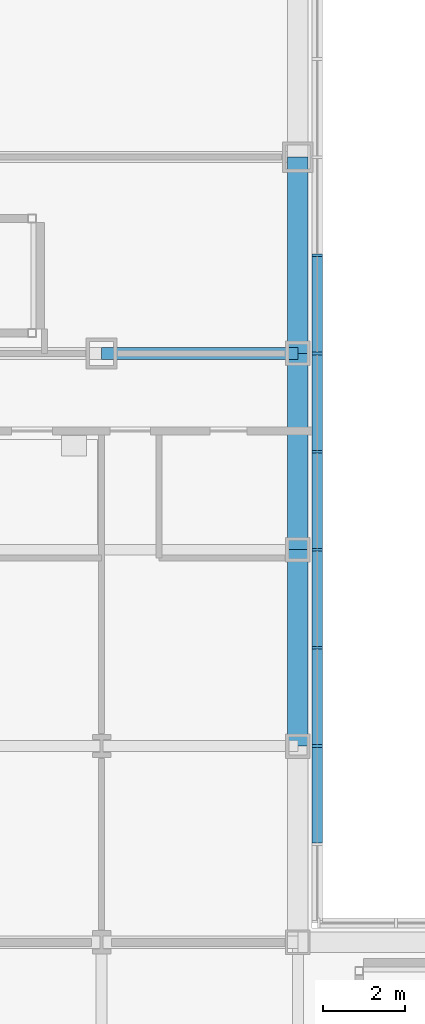
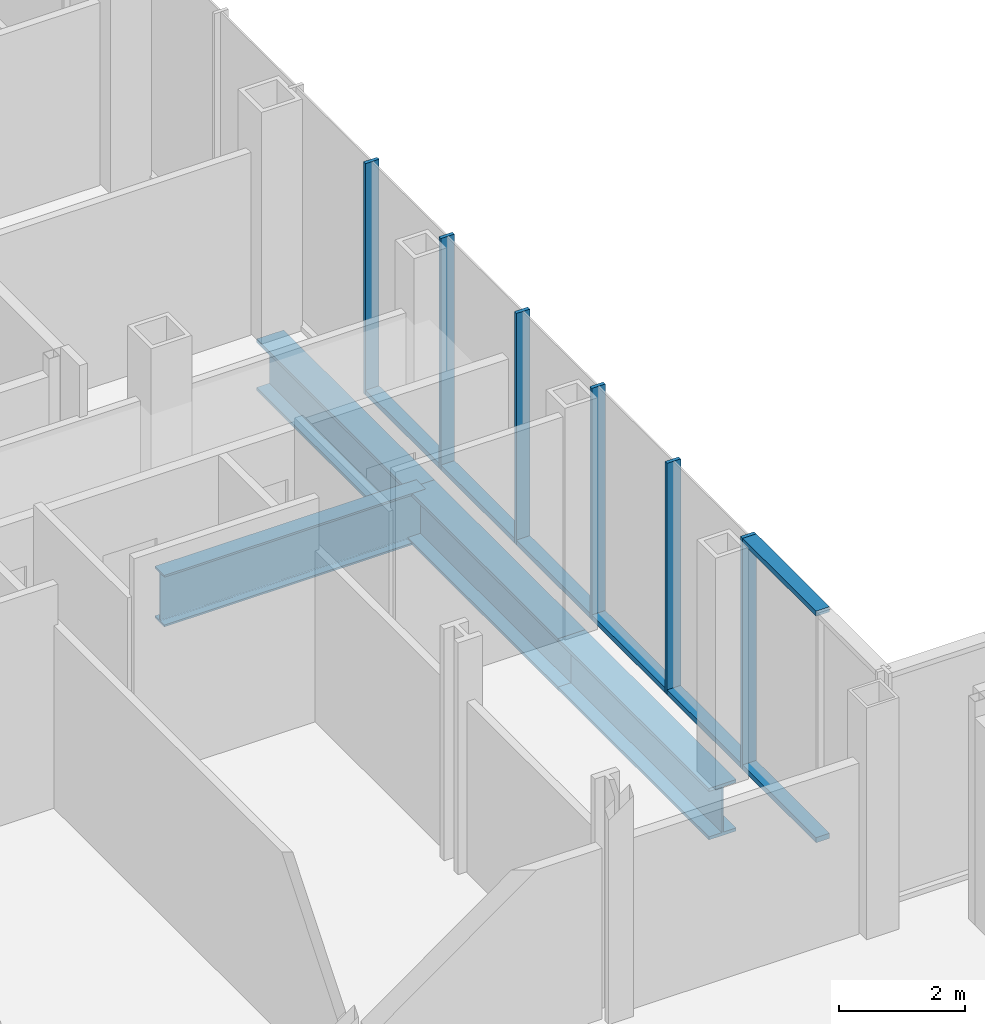
# One storey, part 15 of 26: 13 members, 4 beams, 1 element without a shape of its own.
"""IFC4 building model written with IfcOpenShell, lengths in metres."""

from ifc_helpers import new_model, si_unit, direction, frame, origin, origin_2d, place, context, subcontext, project, spatial, rectangle, i_section, extrude, material, material_profile, profile_set, type_object, element, aggregate, save


model = new_model("IFC4")

# Units and contexts
model_context = context("Model", 3, precision=1e-05, world=origin(), true_north=direction((0.0, 1.0)))
body_context = subcontext(model_context, "Body", "Model", "MODEL_VIEW")
ifc_project = project(units=[si_unit("LENGTHUNIT", "METRE"), si_unit("AREAUNIT", "SQUARE_METRE"), si_unit("VOLUMEUNIT", "CUBIC_METRE"), si_unit("PLANEANGLEUNIT", "RADIAN"), si_unit("MASSUNIT", "GRAM", prefix="KILO")], contexts=[model_context])

# Site, building, storey
site_placement = place(None, origin())
site = spatial("IfcSite", under=ifc_project, at=site_placement, CompositionType="ELEMENT")
building_placement = place(site_placement, origin())
building = spatial("IfcBuilding", under=site, at=building_placement, Name="Kvirike Care Tower", CompositionType="ELEMENT")
storey_placement = place(building_placement, frame((0.0, 0.0, 18.0)))
storey = spatial("IfcBuildingStorey", under=building, at=storey_placement, Name="L04", CompositionType="ELEMENT", Elevation=18.0)

# Curtain wall, members
ifc_material_1 = material(Name="Anodised aluminium stick system", Category="aluminium")
curtain_wall_type = type_object("IfcCurtainWallType", Name="CW-P PODIUM STICK CURTAIN WALL", PredefinedType="NOTDEFINED", material=ifc_material_1)
curtain_wall_placement = place(storey_placement, origin())
curtain_wall = element("IfcCurtainWall", 1, at=curtain_wall_placement, inside=storey, type_object=curtain_wall_type, Name="Curtain wall L04 face 8", PredefinedType="NOTDEFINED")
ifc_material_2 = material(Name="Bronze anodised aluminium mullion", Category="aluminium")
ifc_material_profile_1 = material_profile(ifc_material_2, rectangle(XDim=0.06494140625, YDim=0.25, at=origin_2d()), Name="CW-P MULLION 65x250")
ifc_profile_set_1 = profile_set([ifc_material_profile_1], Name="Bronze anodised aluminium mullion")
member_type_1 = type_object("IfcMemberType", Name="CW-P MULLION 65x250", PredefinedType="MULLION", material=ifc_profile_set_1)
member_1_placement = place(storey_placement, frame((43.675048828125, 19.199951171875, 0.0), z_axis=(0.0, 0.0, 1.0), x_axis=(0.0, 1.0, 0.0)))
member_1 = element("IfcMember", 2, at=member_1_placement, type_object=member_type_1, Name="CW-P mullion L04 face 8.3", PredefinedType="MULLION", context=body_context, shape_type="SweptSolid", body=[
    extrude(rectangle(XDim=0.06494140625, YDim=0.25, at=origin_2d()), origin(), (0.0, 0.0, 1.0), 4.5),
])
member_2_placement = place(storey_placement, frame((43.675048828125, 21.60009765625, 0.0), z_axis=(0.0, 0.0, 1.0), x_axis=(0.0, 1.0, 0.0)))
member_2 = element("IfcMember", 3, at=member_2_placement, type_object=member_type_1, Name="CW-P mullion L04 face 8.4", PredefinedType="MULLION", context=body_context, shape_type="SweptSolid", body=[
    extrude(rectangle(XDim=0.06494140625, YDim=0.25, at=origin_2d()), origin(), (0.0, 0.0, 1.0), 4.5),
])
member_3_placement = place(storey_placement, frame((43.675048828125, 24.0, 0.0), z_axis=(0.0, 0.0, 1.0), x_axis=(0.0, 1.0, 0.0)))
member_3 = element("IfcMember", 4, at=member_3_placement, type_object=member_type_1, Name="CW-P mullion L04 face 8.5", PredefinedType="MULLION", context=body_context, shape_type="SweptSolid", body=[
    extrude(rectangle(XDim=0.06494140625, YDim=0.25, at=origin_2d()), origin(), (0.0, 0.0, 1.0), 4.5),
])
member_4_placement = place(storey_placement, frame((43.675048828125, 26.39990234375, 0.0), z_axis=(0.0, 0.0, 1.0), x_axis=(0.0, 1.0, 0.0)))
member_4 = element("IfcMember", 5, at=member_4_placement, type_object=member_type_1, Name="CW-P mullion L04 face 8.6", PredefinedType="MULLION", context=body_context, shape_type="SweptSolid", body=[
    extrude(rectangle(XDim=0.06494140625, YDim=0.25, at=origin_2d()), origin(), (0.0, 0.0, 1.0), 4.5),
])
member_5_placement = place(storey_placement, frame((43.675048828125, 28.800048828125, 0.0), z_axis=(0.0, 0.0, 1.0), x_axis=(0.0, 1.0, 0.0)))
member_5 = element("IfcMember", 6, at=member_5_placement, type_object=member_type_1, Name="CW-P mullion L04 face 8.7", PredefinedType="MULLION", context=body_context, shape_type="SweptSolid", body=[
    extrude(rectangle(XDim=0.06494140625, YDim=0.25, at=origin_2d()), origin(), (0.0, 0.0, 1.0), 4.5),
])
member_6_placement = place(storey_placement, frame((43.675048828125, 31.199951171875, 0.0), z_axis=(0.0, 0.0, 1.0), x_axis=(0.0, 1.0, 0.0)))
member_6 = element("IfcMember", 7, at=member_6_placement, type_object=member_type_1, Name="CW-P mullion L04 face 8.8", PredefinedType="MULLION", context=body_context, shape_type="SweptSolid", body=[
    extrude(rectangle(XDim=0.06494140625, YDim=0.25, at=origin_2d()), origin(), (0.0, 0.0, 1.0), 4.5),
])
ifc_material_3 = material(Name="Bronze anodised aluminium transom", Category="aluminium")
ifc_material_profile_2 = material_profile(ifc_material_3, rectangle(XDim=0.25, YDim=0.10009765625, at=origin_2d()), Name="CW-P TRANSOM 250x100")
ifc_profile_set_2 = profile_set([ifc_material_profile_2], Name="Bronze anodised aluminium transom")
member_type_2 = type_object("IfcMemberType", Name="CW-P TRANSOM 250x100", PredefinedType="USERDEFINED", material=ifc_profile_set_2)
member_7_placement = place(storey_placement, frame((43.675048828125, 16.83251953125, 0.050048828125), z_axis=(0.0, 1.0, 0.0), x_axis=(-1.0, 0.0, 0.0)))
member_7 = element("IfcMember", 8, at=member_7_placement, type_object=member_type_2, Name="CW-P sill transom L04 face 8.2", ObjectType="TRANSOM", PredefinedType="USERDEFINED", context=body_context, shape_type="SweptSolid", body=[
    extrude(rectangle(XDim=0.25, YDim=0.10009765625, at=origin_2d()), origin(), (0.0, 0.0, 1.0), 2.3349609375),
])
member_8_placement = place(storey_placement, frame((43.675048828125, 16.83251953125, 4.449951171875), z_axis=(0.0, 1.0, 0.0), x_axis=(-1.0, 0.0, 0.0)))
member_8 = element("IfcMember", 9, at=member_8_placement, type_object=member_type_2, Name="CW-P head transom L04 face 8.2", ObjectType="TRANSOM", PredefinedType="USERDEFINED", context=body_context, shape_type="SweptSolid", body=[
    extrude(rectangle(XDim=0.25, YDim=0.10009765625, at=origin_2d()), origin(), (0.0, 0.0, 1.0), 2.3349609375),
])
member_9_placement = place(storey_placement, frame((43.675048828125, 19.232421875, 0.050048828125), z_axis=(0.0, 1.0, 0.0), x_axis=(-1.0, 0.0, 0.0)))
member_9 = element("IfcMember", 10, at=member_9_placement, type_object=member_type_2, Name="CW-P sill transom L04 face 8.3", ObjectType="TRANSOM", PredefinedType="USERDEFINED", context=body_context, shape_type="SweptSolid", body=[
    extrude(rectangle(XDim=0.25, YDim=0.10009765625, at=origin_2d()), origin(), (0.0, 0.0, 1.0), 2.3349609375),
])
member_10_placement = place(storey_placement, frame((43.675048828125, 21.632568359375, 0.050048828125), z_axis=(0.0, 1.0, 0.0), x_axis=(-1.0, 0.0, 0.0)))
member_10 = element("IfcMember", 11, at=member_10_placement, type_object=member_type_2, Name="CW-P sill transom L04 face 8.4", ObjectType="TRANSOM", PredefinedType="USERDEFINED", context=body_context, shape_type="SweptSolid", body=[
    extrude(rectangle(XDim=0.25, YDim=0.10009765625, at=origin_2d()), origin(), (0.0, 0.0, 1.0), 2.3349609375),
])
member_11_placement = place(storey_placement, frame((43.675048828125, 24.032470703125, 0.050048828125), z_axis=(0.0, 1.0, 0.0), x_axis=(-1.0, 0.0, 0.0)))
member_11 = element("IfcMember", 12, at=member_11_placement, type_object=member_type_2, Name="CW-P sill transom L04 face 8.5", ObjectType="TRANSOM", PredefinedType="USERDEFINED", context=body_context, shape_type="SweptSolid", body=[
    extrude(rectangle(XDim=0.25, YDim=0.10009765625, at=origin_2d()), origin(), (0.0, 0.0, 1.0), 2.3349609375),
])
member_12_placement = place(storey_placement, frame((43.675048828125, 26.4326171875, 0.050048828125), z_axis=(0.0, 1.0, 0.0), x_axis=(-1.0, 0.0, 0.0)))
member_12 = element("IfcMember", 13, at=member_12_placement, type_object=member_type_2, Name="CW-P sill transom L04 face 8.6", ObjectType="TRANSOM", PredefinedType="USERDEFINED", context=body_context, shape_type="SweptSolid", body=[
    extrude(rectangle(XDim=0.25, YDim=0.10009765625, at=origin_2d()), origin(), (0.0, 0.0, 1.0), 2.3349609375),
])
member_13_placement = place(storey_placement, frame((43.675048828125, 28.83251953125, 0.050048828125), z_axis=(0.0, 1.0, 0.0), x_axis=(-1.0, 0.0, 0.0)))
member_13 = element("IfcMember", 14, at=member_13_placement, type_object=member_type_2, Name="CW-P sill transom L04 face 8.7", ObjectType="TRANSOM", PredefinedType="USERDEFINED", context=body_context, shape_type="SweptSolid", body=[
    extrude(rectangle(XDim=0.25, YDim=0.10009765625, at=origin_2d()), origin(), (0.0, 0.0, 1.0), 2.3349609375),
])
aggregate(curtain_wall, [member_1, member_2, member_3, member_4, member_5, member_6, member_7, member_8, member_9, member_10, member_11, member_12, member_13])

# Beams
ifc_material_4 = material(Name="Steel S355", Category="steel")
ifc_material_profile_3 = material_profile(ifc_material_4, i_section(OverallWidth=0.300048828125, OverallDepth=1.0, WebThickness=0.01904296875, FlangeThickness=0.035888671875, FilletRadius=0.030029296875, at=origin_2d()), Name="HE 1000 B")
ifc_profile_set_3 = profile_set([ifc_material_profile_3], Name="Steel S355")
beam_type_1 = type_object("IfcBeamType", Name="FRAME BEAM HE 1000 B", PredefinedType="BEAM", material=ifc_profile_set_3)
beam_placement = place(storey_placement, frame((38.39990234375, 28.800048828125, -0.669921875), z_axis=(1.0, 0.0, 0.0), x_axis=(0.0, 1.0, 0.0)))
element("IfcBeam", 15, at=beam_placement, inside=storey, type_object=beam_type_1, Name="Frame Beam G11-G12 L04", PredefinedType="BEAM", context=body_context, shape_type="SweptSolid", body=[
    extrude(i_section(OverallWidth=0.300048828125, OverallDepth=1.0, WebThickness=0.01904296875, FlangeThickness=0.035888671875, FilletRadius=0.030029296875, at=origin_2d()), origin(), (0.0, 0.0, 1.0), 4.800048828125),
])
ifc_material_5 = material(Name="Steel S355", Category="steel")
ifc_material_profile_4 = material_profile(ifc_material_5, i_section(OverallWidth=0.5, OverallDepth=1.0, WebThickness=0.030029296875, FlangeThickness=0.06005859375, at=origin_2d()), Name="PG 1000x500x30x60")
ifc_profile_set_4 = profile_set([ifc_material_profile_4], Name="Steel S355")
beam_type_2 = type_object("IfcBeamType", Name="SPANDREL PG 1000x500x30x60", PredefinedType="SPANDREL", material=ifc_profile_set_4)
for number, where, z_axis, x_axis, name in (
    (16, (43.199951171875, 19.199951171875, -0.669921875), (0.0, 1.0, 0.0), (-1.0, 0.0, 0.0), "Spandrel E12-F12 L04"),
    (17, (43.199951171875, 24.0, -0.669921875), (0.0, 1.0, 0.0), (-1.0, 0.0, 0.0), "Spandrel F12-G12 L04"),
    (18, (43.199951171875, 28.800048828125, -0.669921875), (0.0, 1.0, 0.0), (-1.0, 0.0, 0.0), "Spandrel G12-H12 L04"),
):
    element("IfcBeam", number, at=place(storey_placement, frame(where, z_axis=z_axis, x_axis=x_axis)), inside=storey, type_object=beam_type_2, Name=name, PredefinedType="SPANDREL", context=body_context, shape_type="SweptSolid", body=[
        extrude(i_section(OverallWidth=0.5, OverallDepth=1.0, WebThickness=0.030029296875, FlangeThickness=0.06005859375, at=origin_2d()), origin(), (0.0, 0.0, 1.0), 4.800048828125),
    ])

save(model, "model.ifc")
